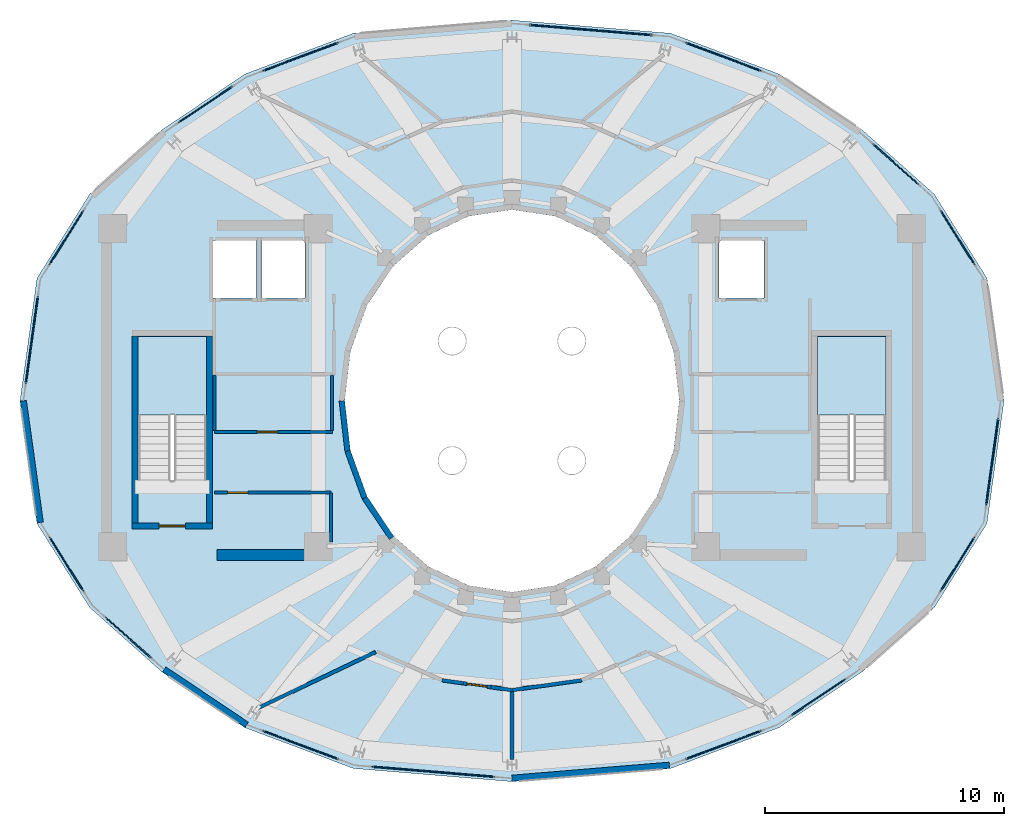
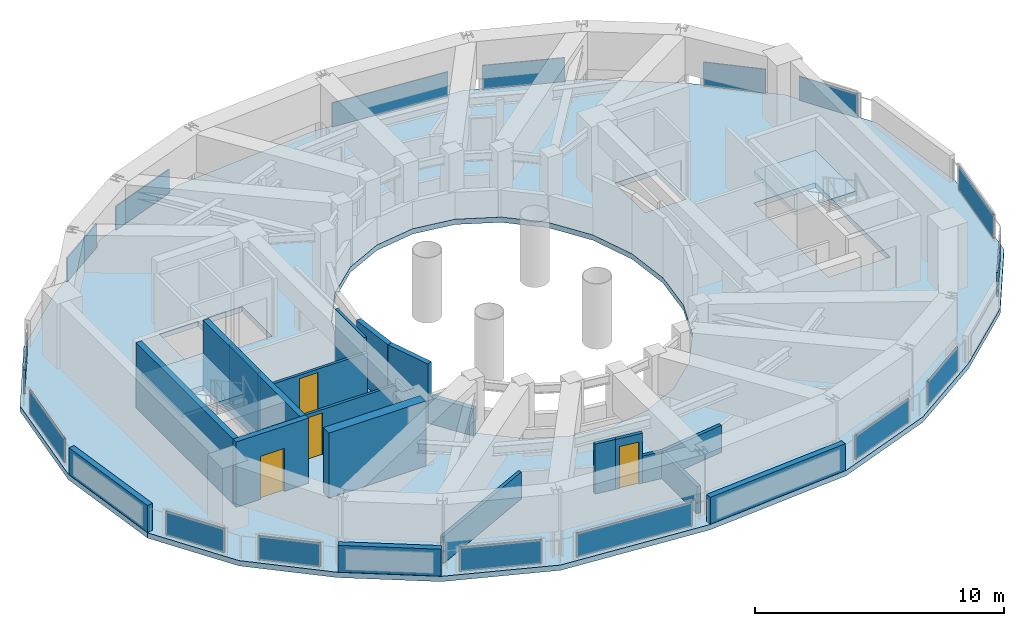
# One storey, part 12 of 17: 21 walls, 16 plates, 4 doors, 3 slabs, 4 openings, 18 elements without a shape of their own.
"""IFC4 building model written with IfcOpenShell, lengths in metres."""

import ifcopenshell
import ifcopenshell.guid

model = None  # the IFC model being written
_history = None  # IfcOwnerHistory: only IFC2X3 demands one
_inside = {}  # id of a spatial element -> (the spatial element, [elements in it])
_under = {}  # id of a project, library or spatial element -> (it, [spatial elements below it])
_declared = {}  # id of a project -> (the project, [libraries it declares])
_typed = {}  # id of a type object -> (the type object, [elements of that type])
_made_of = {}  # id of a material, layer set ... -> (it, [elements and type objects made of it])


def new_model(schema):
    """Start an empty IFC model of exactly this schema.

    Asked for "IFC4X3", IfcOpenShell would pick the latest addendum, in which some entities
    have other attributes; the version numbers below select the first issue.
    IFC2X3 requires an IfcOwnerHistory on every rooted entity: one is made here for all.
    """
    global model, _history
    if schema == "IFC4X3":
        model = ifcopenshell.file(schema_version=(4, 3, 0, 0))
    else:
        model = ifcopenshell.file(schema=schema)
    _inside.clear()
    _under.clear()
    _declared.clear()
    _typed.clear()
    _made_of.clear()
    _history = None
    if model.schema == "IFC2X3":
        org = make("IfcOrganization", Name="unknown")
        user = make(
            "IfcPersonAndOrganization",
            ThePerson=make("IfcPerson", FamilyName="unknown"),
            TheOrganization=org,
        )
        app = make(
            "IfcApplication",
            ApplicationDeveloper=org,
            Version="unknown",
            ApplicationFullName="unknown",
            ApplicationIdentifier="unknown",
        )
        _history = make(
            "IfcOwnerHistory",
            OwningUser=user,
            OwningApplication=app,
            ChangeAction="ADDED",
            CreationDate=0,
        )
    return model


def make(cls, **values):
    """One entity of the class cls with the attributes given. An attribute that is None is left unset."""
    return model.create_entity(
        cls, **{name: value for name, value in values.items() if value is not None}
    )


def rooted(cls, **values):
    """An entity with a GlobalId (a new one), such as an element, a storey or a relation."""
    return make(cls, GlobalId=ifcopenshell.guid.new(), OwnerHistory=_history, **values)


def si_unit(unit_type, name, prefix=None):
    """IfcSIUnit, for example si_unit("LENGTHUNIT", "METRE", prefix="MILLI")."""
    return make("IfcSIUnit", UnitType=unit_type, Prefix=prefix, Name=name)


def assignment(units):
    """IfcUnitAssignment: the units of a project."""
    return None if units is None else make("IfcUnitAssignment", Units=units)


def point(xyz):
    """IfcCartesianPoint."""
    return None if xyz is None else make("IfcCartesianPoint", Coordinates=xyz)


def direction(xyz):
    """IfcDirection."""
    return None if xyz is None else make("IfcDirection", DirectionRatios=xyz)


def frame(location, z_axis=None, x_axis=None):
    """IfcAxis2Placement3D, a coordinate frame: its origin and axes. An axis left out is left unset."""
    return make(
        "IfcAxis2Placement3D",
        Location=point(location),
        Axis=direction(z_axis),
        RefDirection=direction(x_axis),
    )


def frame_2d(location, x_axis=None):
    """IfcAxis2Placement2D, a coordinate frame in the plane: its origin and x axis."""
    return make(
        "IfcAxis2Placement2D", Location=point(location), RefDirection=direction(x_axis)
    )


def origin():
    """The frame at (0, 0, 0) with its axes left unset."""
    return frame((0.0, 0.0, 0.0))


def origin_2d():
    """The frame at (0, 0) in the plane with its x axis left unset."""
    return frame_2d((0.0, 0.0))


def place(relative_to, where):
    """IfcLocalPlacement: puts the frame where relative to a parent placement (None: the world)."""
    return make(
        "IfcLocalPlacement", PlacementRelTo=relative_to, RelativePlacement=where
    )


def context(
    kind, dimensions, precision=None, world=None, true_north=None, identifier=None
):
    """IfcGeometricRepresentationContext, for example the 3D "Model" context."""
    return make(
        "IfcGeometricRepresentationContext",
        ContextIdentifier=identifier,
        ContextType=kind,
        CoordinateSpaceDimension=dimensions,
        Precision=precision,
        WorldCoordinateSystem=world,
        TrueNorth=true_north,
    )


def subcontext(parent, identifier, kind, view, scale=None):
    """IfcGeometricRepresentationSubContext, for example "Body" below "Model"."""
    return make(
        "IfcGeometricRepresentationSubContext",
        ContextIdentifier=identifier,
        ContextType=kind,
        ParentContext=parent,
        TargetScale=scale,
        TargetView=view,
    )


def project(units=None, contexts=None):
    """IfcProject with its units and contexts."""
    return rooted(
        "IfcProject",
        Name="project",
        RepresentationContexts=contexts,
        UnitsInContext=assignment(units),
    )


def spatial(cls, under=None, at=None, **own):
    """A site, building, storey or space (cls), placed at a placement, below another one or the project."""
    s = rooted(cls, ObjectPlacement=at, **own)
    if under is not None:
        _under.setdefault(under.id(), (under, []))[1].append(s)
    return s


def polyline(points):
    """IfcPolyline through the points."""
    return make("IfcPolyline", Points=[point(p) for p in points])


def profile(cls, at=None, kind="AREA", **sizes):
    """A parametric profile (cls). Its sizes go by their IFC names, for example OverallWidth=200.0."""
    return make(cls, ProfileType=kind, Position=at, **sizes)


def rectangle(**sizes):
    """IfcRectangleProfileDef."""
    return profile("IfcRectangleProfileDef", **sizes)


def outline(outer, holes=None, kind="AREA"):
    """IfcArbitraryClosedProfileDef: a profile drawn as a closed curve; with holes, ...WithVoids."""
    if holes is None:
        return make("IfcArbitraryClosedProfileDef", ProfileType=kind, OuterCurve=outer)
    return make(
        "IfcArbitraryProfileDefWithVoids",
        ProfileType=kind,
        OuterCurve=outer,
        InnerCurves=holes,
    )


def extrude(swept, where, along, depth):
    """IfcExtrudedAreaSolid: the profile swept, set in the frame where, extruded along a direction by depth."""
    return make(
        "IfcExtrudedAreaSolid",
        SweptArea=swept,
        Position=where,
        ExtrudedDirection=direction(along),
        Depth=depth,
    )


def shape(context_of_items, identifier, shape_type, items):
    """IfcShapeRepresentation: the items that make up one representation, for example the "Body"."""
    return make(
        "IfcShapeRepresentation",
        ContextOfItems=context_of_items,
        RepresentationIdentifier=identifier,
        RepresentationType=shape_type,
        Items=items,
    )


def material(Name=None, Category=None):
    """IfcMaterial."""
    return make("IfcMaterial", Name=Name, Category=Category)


def layer(
    of_material, thickness, ventilated=None, Name=None, Category=None, Priority=None
):
    """IfcMaterialLayer: one layer of a wall or slab, of a material (None: an air gap)."""
    return make(
        "IfcMaterialLayer",
        Material=of_material,
        LayerThickness=thickness,
        IsVentilated=ventilated,
        Name=Name,
        Category=Category,
        Priority=Priority,
    )


def layer_set(layers, Name=None):
    """IfcMaterialLayerSet."""
    return make("IfcMaterialLayerSet", MaterialLayers=layers, LayerSetName=Name)


def made_of(thing, what):
    """Note that an element or type object is made of a material, layer set ...; save() writes the relation."""
    if what is not None:
        _made_of.setdefault(what.id(), (what, []))[1].append(thing)
    return thing


def type_object(cls, material=None, **own):
    """A type object (cls), such as IfcWallType, which elements share."""
    return made_of(rooted(cls, **own), material)


def element(
    cls,
    number,
    at=None,
    inside=None,
    cuts=None,
    type_object=None,
    material=None,
    context=None,
    identifier="Body",
    shape_type=None,
    held_by="IfcProductDefinitionShape",
    body=None,
    shapes=None,
    **own,
):
    """One element of the class cls, such as IfcWall. Its Tag is "e" and its number.

    at: its placement. inside: the storey or other place that contains it. cuts: it is an
    opening in that element (IfcRelVoidsElement). A single representation is given by context,
    identifier, shape_type and body (its items); several are given by shapes. held_by: the class
    of the entity that holds the representations. save() writes the other relations.
    """
    e = rooted(cls, Tag="e%d" % number, ObjectPlacement=at, **own)
    if body is not None:
        shapes = [shape(context, identifier, shape_type, body)]
    if shapes is not None:
        e.Representation = make(held_by, Representations=shapes)
    if inside is not None:
        _inside.setdefault(inside.id(), (inside, []))[1].append(e)
    if cuts is not None:
        rooted(
            "IfcRelVoidsElement", RelatingBuildingElement=cuts, RelatedOpeningElement=e
        )
    if type_object is not None:
        _typed.setdefault(type_object.id(), (type_object, []))[1].append(e)
    return made_of(e, material)


def fill(opening, filler):
    """IfcRelFillsElement: the door or window that sits in an opening."""
    return rooted(
        "IfcRelFillsElement",
        RelatingOpeningElement=opening,
        RelatedBuildingElement=filler,
    )


def aggregate(whole, parts):
    """IfcRelAggregates: a whole, such as a stair, and the parts it consists of."""
    return rooted("IfcRelAggregates", RelatingObject=whole, RelatedObjects=parts)


def save(model, path):
    """Write the relations noted so far, then the file.

    IfcRelAggregates (storeys below a building ...), IfcRelContainedInSpatialStructure (elements
    in a storey), IfcRelDefinesByType, IfcRelAssociatesMaterial and IfcRelDeclares: one each for
    every whole, place, type object, material and project.
    """
    for whole, parts in _under.values():
        aggregate(whole, parts)
    for where, things in _inside.values():
        rooted(
            "IfcRelContainedInSpatialStructure",
            RelatedElements=things,
            RelatingStructure=where,
        )
    for kind, things in _typed.values():
        rooted("IfcRelDefinesByType", RelatedObjects=things, RelatingType=kind)
    for what, things in _made_of.values():
        rooted("IfcRelAssociatesMaterial", RelatedObjects=things, RelatingMaterial=what)
    for by, libraries in _declared.values():
        rooted("IfcRelDeclares", RelatingContext=by, RelatedDefinitions=libraries)
    model.write(path)


model = new_model("IFC4")

# Units and contexts
model_context = context("Model", 3, precision=1e-05, world=origin(), true_north=direction((0.0, 1.0)))
body_context = subcontext(model_context, "Body", "Model", "MODEL_VIEW")
ifc_project = project(units=[si_unit("LENGTHUNIT", "METRE"), si_unit("AREAUNIT", "SQUARE_METRE"), si_unit("VOLUMEUNIT", "CUBIC_METRE"), si_unit("PLANEANGLEUNIT", "RADIAN"), si_unit("MASSUNIT", "GRAM", prefix="KILO")], contexts=[model_context])

# Site, building, storey
site_placement = place(None, origin())
site = spatial("IfcSite", under=ifc_project, at=site_placement, CompositionType="ELEMENT")
building_placement = place(site_placement, origin())
building = spatial("IfcBuilding", under=site, at=building_placement, Name="Solvane Sanctuary Tower", CompositionType="ELEMENT")
storey_placement = place(building_placement, frame((0.0, 0.0, 270.0)))
storey = spatial("IfcBuildingStorey", under=building, at=storey_placement, Name="L82", CompositionType="ELEMENT", Elevation=270.0)

# Curtain wall, plate
ifc_material_1 = material(Name="Anodised Aluminium 6063-T6", Category="aluminium")
ifc_layer_1 = layer(ifc_material_1, 0.219970703125, Name="Anodised Aluminium 6063-T6")
ifc_layer_set_1 = layer_set([ifc_layer_1], Name="Anodised Aluminium 6063-T6")
curtain_wall_type = type_object("IfcCurtainWallType", Name="Curtain Wall CW-CROWN", PredefinedType="NOTDEFINED", material=ifc_layer_set_1)
curtain_wall_1_placement = place(storey_placement, origin())
curtain_wall_1 = element("IfcCurtainWall", 1, at=curtain_wall_1_placement, inside=storey, type_object=curtain_wall_type, Name="L82 Crown Fritted Lantern Curtain Wall 01", PredefinedType="NOTDEFINED")
ifc_material_2 = material(Name="Acoustic Spandrel Glass", Category="glass")
ifc_layer_2 = layer(ifc_material_2, 0.052001953125, Name="Acoustic Spandrel Glass")
ifc_layer_set_2 = layer_set([ifc_layer_2], Name="Acoustic Spandrel Glass")
plate_type = type_object("IfcPlateType", Name="Plate PN-SPANDREL", PredefinedType="CURTAIN_PANEL", material=ifc_layer_set_2)
plate_1_placement = place(storey_placement, frame((50.637939453125, 29.829345703125, 0.074951171875), z_axis=(0.0, 0.0, 1.0), x_axis=(-0.532223877416, 0.84660365243, 0.0)))
plate_1 = element("IfcPlate", 2, at=plate_1_placement, type_object=plate_type, Name="CW-CROWN panel 1.1", PredefinedType="CURTAIN_PANEL", context=body_context, shape_type="SweptSolid", body=[
    extrude(rectangle(XDim=2.667724609375, YDim=0.052001953125, at=origin_2d()), origin(), (0.0, 0.0, 1.0), 1.169921875),
])
aggregate(curtain_wall_1, [plate_1])

curtain_wall_2_placement = place(storey_placement, origin())
curtain_wall_2 = element("IfcCurtainWall", 3, at=curtain_wall_2_placement, inside=storey, type_object=curtain_wall_type, Name="L82 Crown Fritted Lantern Curtain Wall 02", PredefinedType="NOTDEFINED")
plate_2_placement = place(storey_placement, frame((48.044677734375, 32.904052734375, 0.074951171875), z_axis=(0.0, 0.0, 1.0), x_axis=(-0.747307440166, 0.664478434467, 0.0)))
plate_2 = element("IfcPlate", 4, at=plate_2_placement, type_object=plate_type, Name="CW-CROWN panel 1.1", PredefinedType="CURTAIN_PANEL", context=body_context, shape_type="SweptSolid", body=[
    extrude(rectangle(XDim=2.55810546875, YDim=0.052001953125, at=origin_2d()), origin(), (0.0, 0.0, 1.0), 1.169921875),
])
aggregate(curtain_wall_2, [plate_2])

curtain_wall_3_placement = place(storey_placement, origin())
curtain_wall_3 = element("IfcCurtainWall", 5, at=curtain_wall_3_placement, inside=storey, type_object=curtain_wall_type, Name="L82 Crown Fritted Lantern Curtain Wall 04", PredefinedType="NOTDEFINED")
plate_3_placement = place(storey_placement, frame((40.84228515625, 37.395263671875, 0.074951171875), z_axis=(0.0, 0.0, 1.0), x_axis=(-0.936311666517, 0.351170134187, 0.0)))
plate_3 = element("IfcPlate", 6, at=plate_3_placement, type_object=plate_type, Name="CW-CROWN panel 1.1", PredefinedType="CURTAIN_PANEL", context=body_context, shape_type="SweptSolid", body=[
    extrude(rectangle(XDim=3.37060546875, YDim=0.052001953125, at=origin_2d()), origin(), (0.0, 0.0, 1.0), 1.169921875),
])
aggregate(curtain_wall_3, [plate_3])

curtain_wall_4_placement = place(storey_placement, origin())
curtain_wall_4 = element("IfcCurtainWall", 7, at=curtain_wall_4_placement, inside=storey, type_object=curtain_wall_type, Name="L82 Crown Fritted Lantern Curtain Wall 05", PredefinedType="NOTDEFINED")
plate_4_placement = place(storey_placement, frame((35.292724609375, 38.51416015625, 0.074951171875), z_axis=(0.0, 0.0, 1.0), x_axis=(-0.996588114039, 0.08253563446, 0.0)))
plate_4 = element("IfcPlate", 8, at=plate_4_placement, type_object=plate_type, Name="CW-CROWN panel 1.1", PredefinedType="CURTAIN_PANEL", context=body_context, shape_type="SweptSolid", body=[
    extrude(rectangle(XDim=5.157958984375, YDim=0.052001953125, at=origin_2d()), origin(), (0.0, 0.0, 1.0), 1.169921875),
])
aggregate(curtain_wall_4, [plate_4])

curtain_wall_5_placement = place(storey_placement, origin())
curtain_wall_5 = element("IfcCurtainWall", 9, at=curtain_wall_5_placement, inside=storey, type_object=curtain_wall_type, Name="L82 Crown Fritted Lantern Curtain Wall 07", PredefinedType="NOTDEFINED")
plate_5_placement = place(storey_placement, frame((23.15771484375, 37.395263671875, 0.074951171875), z_axis=(0.0, 0.0, 1.0), x_axis=(-0.936311666517, -0.351170134187, 0.0)))
plate_5 = element("IfcPlate", 10, at=plate_5_placement, type_object=plate_type, Name="CW-CROWN panel 1.1", PredefinedType="CURTAIN_PANEL", context=body_context, shape_type="SweptSolid", body=[
    extrude(rectangle(XDim=3.37060546875, YDim=0.052001953125, at=origin_2d()), origin(), (0.0, 0.0, 1.0), 1.169921875),
])
aggregate(curtain_wall_5, [plate_5])

curtain_wall_6_placement = place(storey_placement, origin())
curtain_wall_6 = element("IfcCurtainWall", 11, at=curtain_wall_6_placement, inside=storey, type_object=curtain_wall_type, Name="L82 Crown Fritted Lantern Curtain Wall 08", PredefinedType="NOTDEFINED")
plate_6_placement = place(storey_placement, frame((19.177001953125, 35.39208984375, 0.074951171875), z_axis=(0.0, 0.0, 1.0), x_axis=(-0.830428536684, -0.557125161397, 0.0)))
plate_6 = element("IfcPlate", 12, at=plate_6_placement, type_object=plate_type, Name="CW-CROWN panel 1.1", PredefinedType="CURTAIN_PANEL", context=body_context, shape_type="SweptSolid", body=[
    extrude(rectangle(XDim=2.7021484375, YDim=0.052001953125, at=origin_2d()), origin(), (0.0, 0.0, 1.0), 1.169921875),
])
aggregate(curtain_wall_6, [plate_6])

curtain_wall_7_placement = place(storey_placement, origin())
curtain_wall_7 = element("IfcCurtainWall", 13, at=curtain_wall_7_placement, inside=storey, type_object=curtain_wall_type, Name="L82 Crown Fritted Lantern Curtain Wall 10", PredefinedType="NOTDEFINED")
plate_7_placement = place(storey_placement, frame((13.362060546875, 29.829345703125, 0.074951171875), z_axis=(0.0, 0.0, 1.0), x_axis=(-0.532223877416, -0.84660365243, 0.0)))
plate_7 = element("IfcPlate", 14, at=plate_7_placement, type_object=plate_type, Name="CW-CROWN panel 1.1", PredefinedType="CURTAIN_PANEL", context=body_context, shape_type="SweptSolid", body=[
    extrude(rectangle(XDim=2.667724609375, YDim=0.052001953125, at=origin_2d()), origin(), (0.0, 0.0, 1.0), 1.169921875),
])
aggregate(curtain_wall_7, [plate_7])

curtain_wall_8_placement = place(storey_placement, origin())
curtain_wall_8 = element("IfcCurtainWall", 15, at=curtain_wall_8_placement, inside=storey, type_object=curtain_wall_type, Name="L82 Crown Fritted Lantern Curtain Wall 11", PredefinedType="NOTDEFINED")
plate_8_placement = place(storey_placement, frame((11.9130859375, 25.543212890625, 0.074951171875), z_axis=(0.0, 0.0, 1.0), x_axis=(-0.13751436765, -0.990499772181, 0.0)))
plate_8 = element("IfcPlate", 16, at=plate_8_placement, type_object=plate_type, Name="CW-CROWN panel 1.1", PredefinedType="CURTAIN_PANEL", context=body_context, shape_type="SweptSolid", body=[
    extrude(rectangle(XDim=3.685302734375, YDim=0.052001953125, at=origin_2d()), origin(), (0.0, 0.0, 1.0), 1.169921875),
])
aggregate(curtain_wall_8, [plate_8])

curtain_wall_9_placement = place(storey_placement, origin())
curtain_wall_9 = element("IfcCurtainWall", 17, at=curtain_wall_9_placement, inside=storey, type_object=curtain_wall_type, Name="L82 Crown Fritted Lantern Curtain Wall 13", PredefinedType="NOTDEFINED")
plate_9_placement = place(storey_placement, frame((13.362060546875, 16.170654296875, 0.074951171875), z_axis=(0.0, 0.0, 1.0), x_axis=(0.532223877416, -0.84660365243, 0.0)))
plate_9 = element("IfcPlate", 18, at=plate_9_placement, type_object=plate_type, Name="CW-CROWN panel 1.1", PredefinedType="CURTAIN_PANEL", context=body_context, shape_type="SweptSolid", body=[
    extrude(rectangle(XDim=2.667724609375, YDim=0.052001953125, at=origin_2d()), origin(), (0.0, 0.0, 1.0), 1.169921875),
])
aggregate(curtain_wall_9, [plate_9])

curtain_wall_10_placement = place(storey_placement, origin())
curtain_wall_10 = element("IfcCurtainWall", 19, at=curtain_wall_10_placement, inside=storey, type_object=curtain_wall_type, Name="L82 Crown Fritted Lantern Curtain Wall 14", PredefinedType="NOTDEFINED")
plate_10_placement = place(storey_placement, frame((15.955322265625, 13.095947265625, 0.074951171875), z_axis=(0.0, 0.0, 1.0), x_axis=(0.747307440166, -0.664478434467, 0.0)))
plate_10 = element("IfcPlate", 20, at=plate_10_placement, type_object=plate_type, Name="CW-CROWN panel 1.1", PredefinedType="CURTAIN_PANEL", context=body_context, shape_type="SweptSolid", body=[
    extrude(rectangle(XDim=2.55810546875, YDim=0.052001953125, at=origin_2d()), origin(), (0.0, 0.0, 1.0), 1.169921875),
])
aggregate(curtain_wall_10, [plate_10])

curtain_wall_11_placement = place(storey_placement, origin())
curtain_wall_11 = element("IfcCurtainWall", 21, at=curtain_wall_11_placement, inside=storey, type_object=curtain_wall_type, Name="L82 Crown Fritted Lantern Curtain Wall 16", PredefinedType="NOTDEFINED")
plate_11_placement = place(storey_placement, frame((23.15771484375, 8.604736328125, 0.074951171875), z_axis=(0.0, 0.0, 1.0), x_axis=(0.936311666517, -0.351170134187, 0.0)))
plate_11 = element("IfcPlate", 22, at=plate_11_placement, type_object=plate_type, Name="CW-CROWN panel 1.1", PredefinedType="CURTAIN_PANEL", context=body_context, shape_type="SweptSolid", body=[
    extrude(rectangle(XDim=3.37060546875, YDim=0.052001953125, at=origin_2d()), origin(), (0.0, 0.0, 1.0), 1.169921875),
])
aggregate(curtain_wall_11, [plate_11])

curtain_wall_12_placement = place(storey_placement, origin())
curtain_wall_12 = element("IfcCurtainWall", 23, at=curtain_wall_12_placement, inside=storey, type_object=curtain_wall_type, Name="L82 Crown Fritted Lantern Curtain Wall 17", PredefinedType="NOTDEFINED")
plate_12_placement = place(storey_placement, frame((28.707275390625, 7.48583984375, 0.074951171875), z_axis=(0.0, 0.0, 1.0), x_axis=(0.996588114039, -0.08253563446, 0.0)))
plate_12 = element("IfcPlate", 24, at=plate_12_placement, type_object=plate_type, Name="CW-CROWN panel 1.1", PredefinedType="CURTAIN_PANEL", context=body_context, shape_type="SweptSolid", body=[
    extrude(rectangle(XDim=5.157958984375, YDim=0.052001953125, at=origin_2d()), origin(), (0.0, 0.0, 1.0), 1.169921875),
])
aggregate(curtain_wall_12, [plate_12])

curtain_wall_13_placement = place(storey_placement, origin())
curtain_wall_13 = element("IfcCurtainWall", 25, at=curtain_wall_13_placement, inside=storey, type_object=curtain_wall_type, Name="L82 Crown Fritted Lantern Curtain Wall 19", PredefinedType="NOTDEFINED")
plate_13_placement = place(storey_placement, frame((40.84228515625, 8.604736328125, 0.074951171875), z_axis=(0.0, 0.0, 1.0), x_axis=(0.936311666517, 0.351170134187, 0.0)))
plate_13 = element("IfcPlate", 26, at=plate_13_placement, type_object=plate_type, Name="CW-CROWN panel 1.1", PredefinedType="CURTAIN_PANEL", context=body_context, shape_type="SweptSolid", body=[
    extrude(rectangle(XDim=3.37060546875, YDim=0.052001953125, at=origin_2d()), origin(), (0.0, 0.0, 1.0), 1.169921875),
])
aggregate(curtain_wall_13, [plate_13])

curtain_wall_14_placement = place(storey_placement, origin())
curtain_wall_14 = element("IfcCurtainWall", 27, at=curtain_wall_14_placement, inside=storey, type_object=curtain_wall_type, Name="L82 Crown Fritted Lantern Curtain Wall 20", PredefinedType="NOTDEFINED")
plate_14_placement = place(storey_placement, frame((44.822998046875, 10.60791015625, 0.074951171875), z_axis=(0.0, 0.0, 1.0), x_axis=(0.830428536684, 0.557125161397, 0.0)))
plate_14 = element("IfcPlate", 28, at=plate_14_placement, type_object=plate_type, Name="CW-CROWN panel 1.1", PredefinedType="CURTAIN_PANEL", context=body_context, shape_type="SweptSolid", body=[
    extrude(rectangle(XDim=2.7021484375, YDim=0.052001953125, at=origin_2d()), origin(), (0.0, 0.0, 1.0), 1.169921875),
])
aggregate(curtain_wall_14, [plate_14])

curtain_wall_15_placement = place(storey_placement, origin())
curtain_wall_15 = element("IfcCurtainWall", 29, at=curtain_wall_15_placement, inside=storey, type_object=curtain_wall_type, Name="L82 Crown Fritted Lantern Curtain Wall 22", PredefinedType="NOTDEFINED")
plate_15_placement = place(storey_placement, frame((50.637939453125, 16.170654296875, 0.074951171875), z_axis=(0.0, 0.0, 1.0), x_axis=(0.532223877416, 0.84660365243, 0.0)))
plate_15 = element("IfcPlate", 30, at=plate_15_placement, type_object=plate_type, Name="CW-CROWN panel 1.1", PredefinedType="CURTAIN_PANEL", context=body_context, shape_type="SweptSolid", body=[
    extrude(rectangle(XDim=2.667724609375, YDim=0.052001953125, at=origin_2d()), origin(), (0.0, 0.0, 1.0), 1.169921875),
])
aggregate(curtain_wall_15, [plate_15])

curtain_wall_16_placement = place(storey_placement, origin())
curtain_wall_16 = element("IfcCurtainWall", 31, at=curtain_wall_16_placement, inside=storey, type_object=curtain_wall_type, Name="L82 Crown Fritted Lantern Curtain Wall 23", PredefinedType="NOTDEFINED")
plate_16_placement = place(storey_placement, frame((52.0869140625, 20.456787109375, 0.074951171875), z_axis=(0.0, 0.0, 1.0), x_axis=(0.13751436765, 0.990499772181, 0.0)))
plate_16 = element("IfcPlate", 32, at=plate_16_placement, type_object=plate_type, Name="CW-CROWN panel 1.1", PredefinedType="CURTAIN_PANEL", context=body_context, shape_type="SweptSolid", body=[
    extrude(rectangle(XDim=3.685302734375, YDim=0.052001953125, at=origin_2d()), origin(), (0.0, 0.0, 1.0), 1.169921875),
])
aggregate(curtain_wall_16, [plate_16])

# Slab
ifc_material_3 = material(Name="Concrete C50/60", Category="concrete")
ifc_layer_3 = layer(ifc_material_3, 0.260009765625, Name="Concrete C50/60")
ifc_layer_set_3 = layer_set([ifc_layer_3], Name="Concrete C50/60")
slab_type_1 = type_object("IfcSlabType", Name="Slab SL-CROWN-260", PredefinedType="FLOOR", material=ifc_layer_set_3)
slab_1_placement = place(storey_placement, frame((0.0, 0.0, -0.260009765625)))
element("IfcSlab", 33, at=slab_1_placement, inside=storey, type_object=slab_type_1, Name="L82 Primary Structural Slab", PredefinedType="FLOOR", context=body_context, shape_type="SweptSolid", body=[
    extrude(outline(polyline([(52.580078125, 23.0), (51.868896484375, 28.131591796875), (49.662353515625, 31.6484375), (46.646728515625, 34.335205078125), (43.175048828125, 36.6689453125), (38.630615234375, 38.376708984375), (32.0, 38.927001953125), (25.369384765625, 38.376708984375), (20.824951171875, 36.6689453125), (17.353271484375, 34.335205078125), (14.337646484375, 31.6484375), (12.131103515625, 28.131591796875), (11.419921875, 23.0), (12.131103515625, 17.868408203125), (14.337646484375, 14.3515625), (17.353271484375, 11.664794921875), (20.824951171875, 9.3310546875), (25.369384765625, 7.623291015625), (32.0, 7.072998046875), (38.630615234375, 7.623291015625), (43.175048828125, 9.3310546875), (46.646728515625, 11.664794921875), (49.662353515625, 14.3515625), (51.868896484375, 17.868408203125), (52.580078125, 23.0)]), holes=[polyline([(38.761474609375, 20.929443359375), (38.062255859375, 19.0), (36.94970703125, 17.343017578125), (35.5, 16.07177734375), (33.811767578125, 15.272705078125), (32.0, 15.0), (30.188232421875, 15.272705078125), (28.5, 16.07177734375), (27.05029296875, 17.343017578125), (25.937744140625, 19.0), (25.238525390625, 20.929443359375), (25.0, 23.0), (25.238525390625, 25.070556640625), (25.937744140625, 27.0), (27.05029296875, 28.656982421875), (28.5, 29.92822265625), (30.188232421875, 30.727294921875), (32.0, 31.0), (33.811767578125, 30.727294921875), (35.5, 29.92822265625), (36.94970703125, 28.656982421875), (38.062255859375, 27.0), (38.761474609375, 25.070556640625), (39.0, 23.0), (38.761474609375, 20.929443359375)]), polyline([(16.360107421875, 19.699951171875), (16.360107421875, 25.699951171875), (19.219970703125, 25.699951171875), (19.219970703125, 19.699951171875), (16.360107421875, 19.699951171875)]), polyline([(44.780029296875, 19.699951171875), (44.780029296875, 25.699951171875), (47.639892578125, 25.699951171875), (47.639892578125, 19.699951171875), (44.780029296875, 19.699951171875)]), polyline([(19.5, 29.699951171875), (21.300048828125, 29.699951171875), (21.300048828125, 27.300048828125), (19.5, 27.300048828125), (19.5, 29.699951171875)]), polyline([(21.550048828125, 29.699951171875), (23.35009765625, 29.699951171875), (23.35009765625, 27.300048828125), (21.550048828125, 27.300048828125), (21.550048828125, 29.699951171875)]), polyline([(40.64990234375, 29.699951171875), (42.550048828125, 29.699951171875), (42.550048828125, 27.300048828125), (40.64990234375, 27.300048828125), (40.64990234375, 29.699951171875)])]), origin(), (0.0, 0.0, 1.0), 0.260009765625),
])

# Stair, slab
ifc_material_4 = material(Name="Concrete C45/55", Category="concrete")
stair_type = type_object("IfcStairType", Name="Stair ST-TOW", PredefinedType="HALF_TURN_STAIR", material=ifc_material_4)
stair_1_placement = place(storey_placement, origin())
stair_1 = element("IfcStair", 34, at=stair_1_placement, inside=storey, type_object=stair_type, Name="L82 Exit Stair ST-1 West Core", PredefinedType="HALF_TURN_STAIR")
ifc_layer_4 = layer(ifc_material_4, 0.199951171875, Name="Concrete C45/55")
ifc_layer_set_4 = layer_set([ifc_layer_4], Name="Concrete C45/55")
slab_type_2 = type_object("IfcSlabType", Name="Slab SL-LAND-180", PredefinedType="LANDING", material=ifc_layer_set_4)
slab_2_placement = place(storey_placement, frame((0.0, 0.0, 1.39990234375)))
slab_2 = element("IfcSlab", 35, at=slab_2_placement, type_object=slab_type_2, Name="ST-1 landing 1", PredefinedType="LANDING", context=body_context, shape_type="SweptSolid", body=[
    extrude(outline(polyline([(19.219970703125, 22.39990234375), (19.219970703125, 25.699951171875), (16.360107421875, 25.699951171875), (16.360107421875, 22.39990234375), (19.219970703125, 22.39990234375)])), origin(), (0.0, 0.0, 1.0), 0.2001953125),
])
aggregate(stair_1, [slab_2])

stair_2_placement = place(storey_placement, origin())
stair_2 = element("IfcStair", 36, at=stair_2_placement, inside=storey, type_object=stair_type, Name="L82 Exit Stair ST-2 East Core", PredefinedType="HALF_TURN_STAIR")
slab_3_placement = place(storey_placement, frame((0.0, 0.0, 1.39990234375)))
slab_3 = element("IfcSlab", 37, at=slab_3_placement, type_object=slab_type_2, Name="ST-2 landing 1", PredefinedType="LANDING", context=body_context, shape_type="SweptSolid", body=[
    extrude(outline(polyline([(47.639892578125, 22.39990234375), (47.639892578125, 25.699951171875), (44.780029296875, 25.699951171875), (44.780029296875, 22.39990234375), (47.639892578125, 22.39990234375)])), origin(), (0.0, 0.0, 1.0), 0.2001953125),
])
aggregate(stair_2, [slab_3])

# Walls
ifc_layer_5 = layer(ifc_material_3, 0.449951171875, Name="Concrete C50/60")
ifc_layer_set_5 = layer_set([ifc_layer_5], Name="Concrete C50/60")
wall_type_1 = type_object("IfcWallType", Name="Wall W-CORE-450", PredefinedType="SHEAR", material=ifc_layer_set_5)
wall_1_placement = place(storey_placement, frame((19.64990234375, 16.550048828125, 0.0), z_axis=(0.0, 0.0, 1.0), x_axis=(1.0, 0.0, 0.0)))
element("IfcWall", 38, at=wall_1_placement, inside=storey, type_object=wall_type_1, Name="L82 Core Shear Wall WC-S", PredefinedType="SHEAR", context=body_context, shape_type="SweptSolid", body=[
    extrude(rectangle(XDim=4.5, YDim=0.449951171875, at=frame_2d((2.25, 0.0))), origin(), (0.0, 0.0, 1.0), 3.199951171875),
])
ifc_material_5 = material(Name="Acoustic Gypsum Partition Board")
ifc_layer_6 = layer(ifc_material_5, 0.14990234375, Name="Acoustic Gypsum Partition Board")
ifc_layer_set_6 = layer_set([ifc_layer_6], Name="Acoustic Gypsum Partition Board")
wall_type_2 = type_object("IfcWallType", Name="Wall W-CORR-150", PredefinedType="PARTITIONING", material=ifc_layer_set_6)
wall_2_placement = place(storey_placement, frame((26.30029296875, 12.497314453125, 0.0), z_axis=(0.0, 0.0, 1.0), x_axis=(-0.902738701359, -0.430189303758, 0.0)))
element("IfcWall", 39, at=wall_2_placement, inside=storey, type_object=wall_type_2, Name="L82 Mechanical Plant Radial Wall 240", PredefinedType="PARTITIONING", context=body_context, shape_type="SweptSolid", body=[
    extrude(rectangle(XDim=5.521484375, YDim=0.14990234375, at=frame_2d((2.7607421875, 0.0))), origin(), (0.0, 0.0, 1.0), 1.320068359375),
])
wall_3_placement = place(storey_placement, frame((32.0, 10.844970703125, 0.0), z_axis=(0.0, 0.0, 1.0), x_axis=(0.0, -1.0, 0.0)))
element("IfcWall", 40, at=wall_3_placement, inside=storey, type_object=wall_type_2, Name="L82 Mechanical Plant Radial Wall 270", PredefinedType="PARTITIONING", context=body_context, shape_type="SweptSolid", body=[
    extrude(rectangle(XDim=2.85205078125, YDim=0.14990234375, at=frame_2d((1.426025390625, 0.0))), origin(), (0.0, 0.0, 1.0), 1.320068359375),
])
wall_4_placement = place(storey_placement, frame((29.073486328125, 11.312744140625, 0.0), z_axis=(0.0, 0.0, 1.0), x_axis=(0.990273584723, -0.13913384707, 0.0)))
element("IfcWall", 41, at=wall_4_placement, inside=storey, type_object=wall_type_2, Name="L82 Plant Corridor Wall 4", PredefinedType="PARTITIONING", context=body_context, shape_type="SweptSolid", body=[
    extrude(rectangle(XDim=0.896728515625, YDim=0.14990234375, at=frame_2d((0.4482421875, 0.0))), origin(), (0.0, 0.0, 1.0), 2.445068359375),
])

# Wall, opening, door
wall_5_placement = place(storey_placement, frame((29.96142578125, 11.18798828125, 0.0), z_axis=(0.0, 0.0, 1.0), x_axis=(0.990239487993, -0.139376312259, 0.0)))
wall_5 = element("IfcWall", 42, at=wall_5_placement, inside=storey, type_object=wall_type_2, Name="L82 Plant Corridor Wall 4", PredefinedType="PARTITIONING", context=body_context, shape_type="SweptSolid", body=[
    extrude(rectangle(XDim=1.170166015625, YDim=0.14990234375, at=frame_2d((0.5849609375, 0.0))), origin(), (0.0, 0.0, 1.0), 2.445068359375),
])
opening_1_placement = place(wall_5_placement, frame((0.159912109375, 0.0, 0.0)))
opening_1 = element("IfcOpeningElement", 43, at=opening_1_placement, cuts=wall_5, Name="Opening D-L82-12", PredefinedType="OPENING", context=body_context, shape_type="SweptSolid", body=[
    extrude(rectangle(XDim=0.85009765625, YDim=2.050048828125, at=frame_2d((0.425048828125, 1.02490234375))), frame((0.0, 0.0849609375, 0.0), z_axis=(0.0, -1.0, 0.0), x_axis=(1.0, 0.0, 0.0)), (0.0, 0.0, 1.0), 0.169921875),
])
ifc_material_6 = material(Name="Architectural Stainless Steel 316", Category="steel")
door_type_1 = type_object("IfcDoorType", Name="Door D-RISER", OperationType="NOTDEFINED", PredefinedType="DOOR", material=ifc_material_6)
door_1_placement = place(opening_1_placement, origin())
door_1 = element("IfcDoor", 44, at=door_1_placement, inside=storey, type_object=door_type_1, Name="L82 Plant Room Door 4", OperationType="SINGLE_SWING_LEFT", OverallHeight=2.050048828125, OverallWidth=0.85009765625, PredefinedType="DOOR", context=body_context, shape_type="SweptSolid", body=[
    extrude(rectangle(XDim=0.85009765625, YDim=2.050048828125, at=frame_2d((0.425048828125, 1.02490234375))), frame((0.0, 0.02490234375, 0.0), z_axis=(0.0, -1.0, 0.0), x_axis=(1.0, 0.0, 0.0)), (0.0, 0.0, 1.0), 0.050048828125),
])
fill(opening_1, door_1)

# Walls
wall_6_placement = place(storey_placement, frame((31.1201171875, 11.02490234375, 0.0), z_axis=(0.0, 0.0, 1.0), x_axis=(0.99023074259, -0.1394384324, 0.0)))
element("IfcWall", 45, at=wall_6_placement, inside=storey, type_object=wall_type_2, Name="L82 Plant Corridor Wall 4", PredefinedType="PARTITIONING", context=body_context, shape_type="SweptSolid", body=[
    extrude(rectangle(XDim=0.896484375, YDim=0.14990234375, at=frame_2d((0.4482421875, 0.0))), origin(), (0.0, 0.0, 1.0), 1.320068359375),
])
wall_7_placement = place(storey_placement, frame((31.9921875, 10.89990234375, 0.0), z_axis=(0.0, 0.0, 1.0), x_axis=(0.990247167887, 0.139321737324, 0.0)))
element("IfcWall", 46, at=wall_7_placement, inside=storey, type_object=wall_type_2, Name="L82 Plant Corridor Wall 5", PredefinedType="PARTITIONING", context=body_context, shape_type="SweptSolid", body=[
    extrude(rectangle(XDim=2.963134765625, YDim=0.14990234375, at=frame_2d((1.4814453125, 0.0))), origin(), (0.0, 0.0, 1.0), 1.320068359375),
])
ifc_material_7 = material(Name="Precast concrete C40/50", Category="concrete")
ifc_layer_7 = layer(ifc_material_7, 0.260009765625, Name="Precast concrete C40/50")
ifc_layer_set_7 = layer_set([ifc_layer_7], Name="Precast concrete C40/50")
wall_type_3 = type_object("IfcWallType", Name="Wall W-EXT-250", PredefinedType="STANDARD", material=ifc_layer_set_7)
wall_8_placement = place(storey_placement, frame((11.56005859375, 23.0, 0.0), z_axis=(0.0, 0.0, 1.0), x_axis=(0.137493224046, -0.990502707387, 0.0)))
element("IfcWall", 47, at=wall_8_placement, inside=storey, type_object=wall_type_3, Name="L82 Crown Acoustic Louvred Wall 12", PredefinedType="STANDARD", context=body_context, shape_type="SweptSolid", body=[
    extrude(rectangle(XDim=5.13525390625, YDim=0.260009765625, at=frame_2d((2.567626953125, 0.0))), origin(), (0.0, 0.0, 1.0), 1.320068359375),
])
wall_9_placement = place(storey_placement, frame((17.452880859375, 11.764404296875, 0.0), z_axis=(0.0, 0.0, 1.0), x_axis=(0.830427497225, -0.55712671077, 0.0)))
element("IfcWall", 48, at=wall_9_placement, inside=storey, type_object=wall_type_3, Name="L82 Crown Acoustic Louvred Wall 15", PredefinedType="STANDARD", context=body_context, shape_type="SweptSolid", body=[
    extrude(rectangle(XDim=4.152099609375, YDim=0.260009765625, at=frame_2d((2.076171875, 0.0))), origin(), (0.0, 0.0, 1.0), 1.320068359375),
])
wall_10_placement = place(storey_placement, frame((32.0, 7.212890625, 0.0), z_axis=(0.0, 0.0, 1.0), x_axis=(0.996584886337, 0.082574598538, 0.0)))
element("IfcWall", 49, at=wall_10_placement, inside=storey, type_object=wall_type_3, Name="L82 Crown Acoustic Louvred Wall 18", PredefinedType="STANDARD", context=body_context, shape_type="SweptSolid", body=[
    extrude(rectangle(XDim=6.60791015625, YDim=0.260009765625, at=frame_2d((3.303955078125, 0.0))), origin(), (0.0, 0.0, 1.0), 1.320068359375),
])
ifc_layer_8 = layer(ifc_material_7, 0.22998046875, Name="Precast concrete C40/50")
ifc_layer_set_8 = layer_set([ifc_layer_8], Name="Precast concrete C40/50")
wall_type_4 = type_object("IfcWallType", Name="Wall W-EXT-SP220", PredefinedType="STANDARD", material=ifc_layer_set_8)
wall_11_placement = place(storey_placement, frame((24.8798828125, 23.0, 0.0), z_axis=(0.0, 0.0, 1.0), x_axis=(0.114711713601, -0.993398823617, 0.0)))
element("IfcWall", 50, at=wall_11_placement, inside=storey, type_object=wall_type_4, Name="L82 Central Light-Well Wall 12", PredefinedType="STANDARD", context=body_context, shape_type="SweptSolid", body=[
    extrude(rectangle(XDim=2.115478515625, YDim=0.22998046875, at=frame_2d((1.0576171875, 0.0))), origin(), (0.0, 0.0, 1.0), 2.89990234375),
])
wall_12_placement = place(storey_placement, frame((25.12255859375, 20.8984375, 0.0), z_axis=(0.0, 0.0, 1.0), x_axis=(0.341423187295, -0.93990968033, 0.0)))
element("IfcWall", 51, at=wall_12_placement, inside=storey, type_object=wall_type_4, Name="L82 Central Light-Well Wall 13", PredefinedType="STANDARD", context=body_context, shape_type="SweptSolid", body=[
    extrude(rectangle(XDim=2.083740234375, YDim=0.22998046875, at=frame_2d((1.0419921875, 0.0))), origin(), (0.0, 0.0, 1.0), 2.89990234375),
])
wall_13_placement = place(storey_placement, frame((25.833984375, 18.93994140625, 0.0), z_axis=(0.0, 0.0, 1.0), x_axis=(0.558197800898, -0.829707909492, 0.0)))
element("IfcWall", 52, at=wall_13_placement, inside=storey, type_object=wall_type_4, Name="L82 Central Light-Well Wall 14", PredefinedType="STANDARD", context=body_context, shape_type="SweptSolid", body=[
    extrude(rectangle(XDim=2.02685546875, YDim=0.22998046875, at=frame_2d((1.013427734375, 0.0))), origin(), (0.0, 0.0, 1.0), 1.320068359375),
])

# Wall, opening, door
ifc_layer_9 = layer(ifc_material_5, 0.125, Name="Acoustic Gypsum Partition Board")
ifc_layer_set_9 = layer_set([ifc_layer_9], Name="Acoustic Gypsum Partition Board")
wall_type_5 = type_object("IfcWallType", Name="Wall W-PART-125", PredefinedType="PARTITIONING", material=ifc_layer_set_9)
wall_14_placement = place(storey_placement, frame((19.550048828125, 19.159912109375, 0.0), z_axis=(0.0, 0.0, 1.0), x_axis=(1.0, 0.0, 0.0)))
wall_14 = element("IfcWall", 53, at=wall_14_placement, inside=storey, type_object=wall_type_5, Name="L82 Reclaimed Room Partition PLW", PredefinedType="PARTITIONING", context=body_context, shape_type="SweptSolid", body=[
    extrude(rectangle(XDim=4.869873046875, YDim=0.125, at=frame_2d((2.43505859375, 0.0))), origin(), (0.0, 0.0, 1.0), 2.219970703125),
])
opening_2_placement = place(wall_14_placement, frame((0.550048828125, 0.0, 0.0)))
opening_2 = element("IfcOpeningElement", 54, at=opening_2_placement, cuts=wall_14, Name="Opening D-L82-05", PredefinedType="OPENING", context=body_context, shape_type="SweptSolid", body=[
    extrude(rectangle(XDim=0.85009765625, YDim=2.050048828125, at=frame_2d((0.425048828125, 1.02490234375))), frame((0.0, 0.072509765625, 0.0), z_axis=(0.0, -1.0, 0.0), x_axis=(1.0, 0.0, 0.0)), (0.0, 0.0, 1.0), 0.14501953125),
])
door_2_placement = place(opening_2_placement, origin())
door_2 = element("IfcDoor", 55, at=door_2_placement, inside=storey, type_object=door_type_1, Name="L82 Reclaimed Room Door PLW-1", OperationType="SINGLE_SWING_RIGHT", OverallHeight=2.050048828125, OverallWidth=0.85009765625, PredefinedType="DOOR", context=body_context, shape_type="SweptSolid", body=[
    extrude(rectangle(XDim=0.85009765625, YDim=2.050048828125, at=frame_2d((0.425048828125, 1.02490234375))), frame((0.0, 0.02490234375, 0.0), z_axis=(0.0, -1.0, 0.0), x_axis=(1.0, 0.0, 0.0)), (0.0, 0.0, 1.0), 0.050048828125),
])
fill(opening_2, door_2)

# Wall
wall_15_placement = place(storey_placement, frame((24.419921875, 17.10009765625, 0.0), z_axis=(0.0, 0.0, 1.0), x_axis=(0.0, 1.0, 0.0)))
element("IfcWall", 56, at=wall_15_placement, inside=storey, type_object=wall_type_5, Name="L82 Reclaimed Room Closer Wall PLW-1", PredefinedType="PARTITIONING", context=body_context, shape_type="SweptSolid", body=[
    extrude(rectangle(XDim=2.039794921875, YDim=0.125, at=frame_2d((1.02001953125, 0.0))), origin(), (0.0, 0.0, 1.0), 2.490966796875),
])

# Wall, opening, door
wall_16_placement = place(storey_placement, frame((19.550048828125, 21.699951171875, 0.0), z_axis=(0.0, 0.0, 1.0), x_axis=(1.0, 0.0, 0.0)))
wall_16 = element("IfcWall", 57, at=wall_16_placement, inside=storey, type_object=wall_type_5, Name="L82 Reclaimed Room Partition PMW", PredefinedType="PARTITIONING", context=body_context, shape_type="SweptSolid", body=[
    extrude(rectangle(XDim=4.949951171875, YDim=0.125, at=frame_2d((2.47509765625, 0.0))), origin(), (0.0, 0.0, 1.0), 2.219970703125),
])
opening_3_placement = place(wall_16_placement, frame((1.800048828125, 0.0, 0.0)))
opening_3 = element("IfcOpeningElement", 58, at=opening_3_placement, cuts=wall_16, Name="Opening D-L82-07", PredefinedType="OPENING", context=body_context, shape_type="SweptSolid", body=[
    extrude(rectangle(XDim=0.85009765625, YDim=2.050048828125, at=frame_2d((0.425048828125, 1.02490234375))), frame((0.0, 0.072509765625, 0.0), z_axis=(0.0, -1.0, 0.0), x_axis=(1.0, 0.0, 0.0)), (0.0, 0.0, 1.0), 0.14501953125),
])
door_3_placement = place(opening_3_placement, origin())
door_3 = element("IfcDoor", 59, at=door_3_placement, inside=storey, type_object=door_type_1, Name="L82 Reclaimed Room Door PMW-1", OperationType="SINGLE_SWING_RIGHT", OverallHeight=2.050048828125, OverallWidth=0.85009765625, PredefinedType="DOOR", context=body_context, shape_type="SweptSolid", body=[
    extrude(rectangle(XDim=0.85009765625, YDim=2.050048828125, at=frame_2d((0.425048828125, 1.02490234375))), frame((0.0, 0.02490234375, 0.0), z_axis=(0.0, -1.0, 0.0), x_axis=(1.0, 0.0, 0.0)), (0.0, 0.0, 1.0), 0.050048828125),
])
fill(opening_3, door_3)

# Walls
for number, where, z_axis, x_axis, name in (
    (60, (19.550048828125, 21.760009765625, 0.0), (0.0, 0.0, 1.0), (0.0, 1.0, 0.0), "L82 Reclaimed Room Closer Wall PMW-1"),
    (61, (24.47998046875, 21.760009765625, 0.0), (0.0, 0.0, 1.0), (0.0, 1.0, 0.0), "L82 Reclaimed Room Closer Wall PMW-2"),
):
    element("IfcWall", number, at=place(storey_placement, frame(where, z_axis=z_axis, x_axis=x_axis)), inside=storey, type_object=wall_type_5, Name=name, PredefinedType="PARTITIONING", context=body_context, shape_type="SweptSolid", body=[
        extrude(rectangle(XDim=2.320068359375, YDim=0.125, at=frame_2d((1.16015625, 0.0))), origin(), (0.0, 0.0, 1.0), 2.9150390625),
    ])

# Wall, opening, door
ifc_layer_10 = layer(ifc_material_3, 0.25, Name="Concrete C50/60")
ifc_layer_set_10 = layer_set([ifc_layer_10], Name="Concrete C50/60")
wall_type_6 = type_object("IfcWallType", Name="Wall W-SHAFT-250", PredefinedType="SOLIDWALL", material=ifc_layer_set_10)
wall_17_placement = place(storey_placement, frame((16.10498046875, 17.77001953125, 0.0), z_axis=(0.0, 0.0, 1.0), x_axis=(1.0, 0.0, 0.0)))
wall_17 = element("IfcWall", 62, at=wall_17_placement, inside=storey, type_object=wall_type_6, Name="L82 ST-1 Load-Bearing Shaft Wall S", PredefinedType="SOLIDWALL", context=body_context, shape_type="SweptSolid", body=[
    extrude(rectangle(XDim=3.3701171875, YDim=0.25, at=frame_2d((1.68505859375, 0.0))), origin(), (0.0, 0.0, 1.0), 3.199951171875),
])
opening_4_placement = place(wall_17_placement, frame((1.135009765625, 0.0, 0.0)))
opening_4 = element("IfcOpeningElement", 63, at=opening_4_placement, cuts=wall_17, Name="Opening D-L82-01", PredefinedType="OPENING", context=body_context, shape_type="SweptSolid", body=[
    extrude(rectangle(XDim=1.10009765625, YDim=2.10009765625, at=frame_2d((0.550048828125, 1.050048828125))), frame((0.0, 0.135009765625, 0.0), z_axis=(0.0, -1.0, 0.0), x_axis=(1.0, 0.0, 0.0)), (0.0, 0.0, 1.0), 0.27001953125),
])
door_type_2 = type_object("IfcDoorType", Name="Door D-STAIR", OperationType="NOTDEFINED", PredefinedType="DOOR", material=ifc_material_6)
door_4_placement = place(opening_4_placement, origin())
door_4 = element("IfcDoor", 64, at=door_4_placement, inside=storey, type_object=door_type_2, Name="L82 ST-1 Exit Stair Fire Door", OperationType="SINGLE_SWING_LEFT", OverallHeight=2.10009765625, OverallWidth=1.10009765625, PredefinedType="DOOR", context=body_context, shape_type="SweptSolid", body=[
    extrude(rectangle(XDim=1.10009765625, YDim=2.10009765625, at=frame_2d((0.550048828125, 1.050048828125))), frame((0.0, 0.02490234375, 0.0), z_axis=(0.0, -1.0, 0.0), x_axis=(1.0, 0.0, 0.0)), (0.0, 0.0, 1.0), 0.050048828125),
])
fill(opening_4, door_4)

# Walls
for number, where, z_axis, x_axis, name in (
    (65, (16.22998046875, 17.89501953125, 0.0), (0.0, 0.0, 1.0), (0.0, 1.0, 0.0), "L82 ST-1 Load-Bearing Shaft Wall W"),
    (66, (19.35009765625, 17.89501953125, 0.0), (0.0, 0.0, 1.0), (0.0, 1.0, 0.0), "L82 ST-1 Load-Bearing Shaft Wall E"),
):
    element("IfcWall", number, at=place(storey_placement, frame(where, z_axis=z_axis, x_axis=x_axis)), inside=storey, type_object=wall_type_6, Name=name, PredefinedType="SOLIDWALL", context=body_context, shape_type="SweptSolid", body=[
        extrude(rectangle(XDim=7.81005859375, YDim=0.25, at=frame_2d((3.905029296875, 0.0))), origin(), (0.0, 0.0, 1.0), 3.199951171875),
    ])

save(model, "model.ifc")
